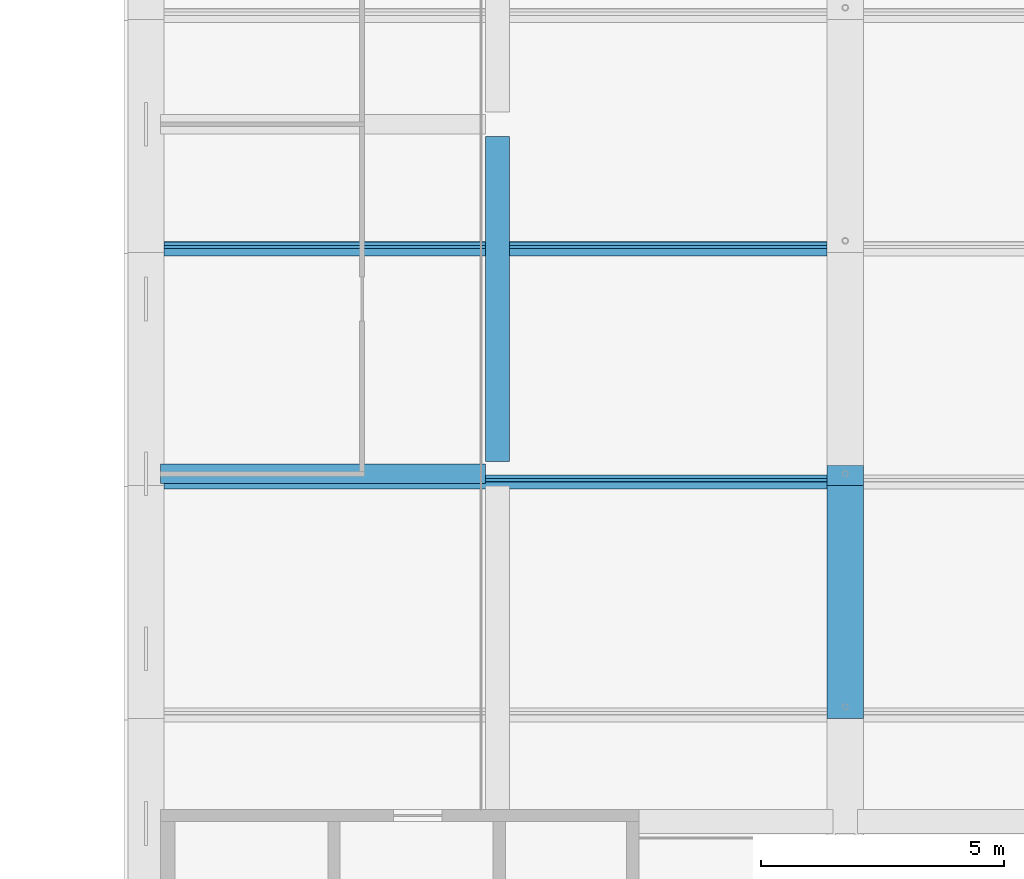
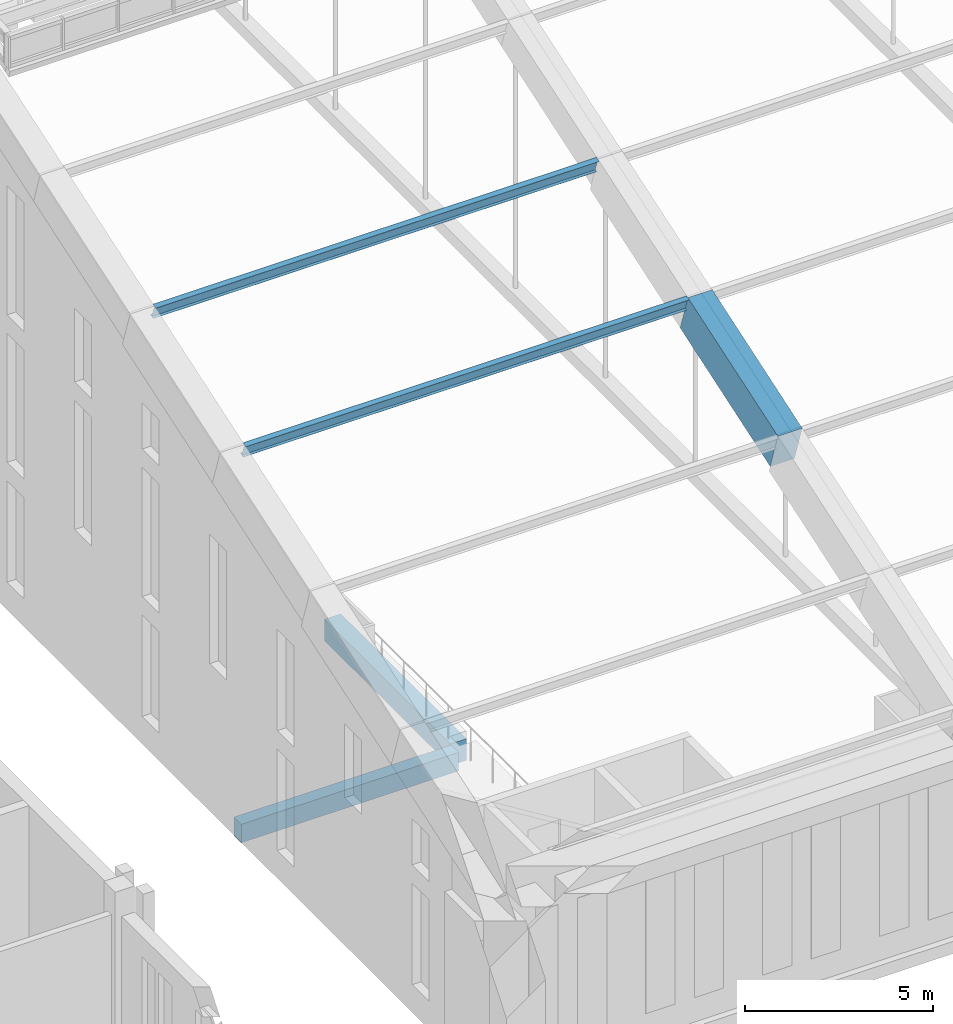
# One storey, part 7 of 149: 3 beams, 2 members.
"""IFC4 building model written with IfcOpenShell, lengths in metres."""

from ifc_helpers import new_model, si_unit, direction, frame, origin, origin_2d, place, context, subcontext, project, spatial, rectangle, i_section, extrude, material, material_profile, profile_set, type_object, element, save


model = new_model("IFC4")

# Units and contexts
model_context = context("Model", 3, precision=1e-05, world=origin(), true_north=direction((0.0, 1.0)))
body_context = subcontext(model_context, "Body", "Model", "MODEL_VIEW")
ifc_project = project(units=[si_unit("LENGTHUNIT", "METRE"), si_unit("AREAUNIT", "SQUARE_METRE"), si_unit("VOLUMEUNIT", "CUBIC_METRE"), si_unit("PLANEANGLEUNIT", "RADIAN"), si_unit("MASSUNIT", "GRAM", prefix="KILO")], contexts=[model_context])

# Site, building, storey
site_placement = place(None, origin())
site = spatial("IfcSite", under=ifc_project, at=site_placement, CompositionType="ELEMENT")
building_placement = place(site_placement, origin())
building = spatial("IfcBuilding", under=site, at=building_placement, Name="Alderwick Market Hall", CompositionType="ELEMENT")
storey_placement = place(building_placement, frame((0.0, 0.0, 9.60009765625)))
storey = spatial("IfcBuildingStorey", under=building, at=storey_placement, Name="L01", CompositionType="ELEMENT", Elevation=9.60009765625)

# Beams
ifc_material_1 = material(Name="Concrete 5000 psi (f'c 35 MPa)", Category="concrete")
ifc_material_profile_1 = material_profile(ifc_material_1, rectangle(XDim=0.5, YDim=0.699951171875, at=origin_2d()), Name="RC 500x700")
ifc_profile_set_1 = profile_set([ifc_material_profile_1], Name="Concrete 5000 psi (f'c 35 MPa)")
beam_type_1 = type_object("IfcBeamType", Name="H Edge beam 500x700", PredefinedType="BEAM", material=ifc_profile_set_1)
beam_1_placement = place(storey_placement, frame((57.639892578125, 65.050048828125, -0.60009765625), z_axis=(0.0, 1.0, 0.0), x_axis=(-1.0, 0.0, 0.0)))
element("IfcBeam", 1, at=beam_1_placement, inside=storey, type_object=beam_type_1, Name="Gallery edge beam W", PredefinedType="BEAM", context=body_context, shape_type="SweptSolid", body=[
    extrude(rectangle(XDim=0.5, YDim=0.699951171875, at=origin_2d()), origin(), (0.0, 0.0, 1.0), 6.699951171875),
])
ifc_material_profile_2 = material_profile(ifc_material_1, rectangle(XDim=0.39990234375, YDim=0.60009765625, at=origin_2d()), Name="RC 400x600")
ifc_profile_set_2 = profile_set([ifc_material_profile_2], Name="Concrete 5000 psi (f'c 35 MPa)")
beam_type_2 = type_object("IfcBeamType", Name="H Gallery beam 400x600", PredefinedType="BEAM", material=ifc_profile_set_2)
beam_2_placement = place(storey_placement, frame((50.699951171875, 64.800048828125, -0.550048828125), z_axis=(1.0, 0.0, 0.0), x_axis=(0.0, 1.0, 0.0)))
element("IfcBeam", 2, at=beam_2_placement, inside=storey, type_object=beam_type_2, Name="Gallery beam W", PredefinedType="BEAM", context=body_context, shape_type="SweptSolid", body=[
    extrude(rectangle(XDim=0.39990234375, YDim=0.60009765625, at=origin_2d()), origin(), (0.0, 0.0, 1.0), 6.68994140625),
])
ifc_material_profile_3 = material_profile(ifc_material_1, rectangle(XDim=0.75, YDim=1.300048828125, at=origin_2d()), Name="RC 750x1300")
ifc_profile_set_3 = profile_set([ifc_material_profile_3], Name="Concrete 5000 psi (f'c 35 MPa)")
beam_type_3 = type_object("IfcBeamType", Name="R Arch Rib Haunch 750x1300", PredefinedType="BEAM", material=ifc_profile_set_3)
beam_3_placement = place(storey_placement, frame((64.800048828125, 59.96826171875, 9.894775390625), z_axis=(0.0, 0.948678472761, 0.316242241517), x_axis=(-1.0, 0.0, 0.0)))
element("IfcBeam", 3, at=beam_3_placement, inside=storey, type_object=beam_type_3, Name="Arch rib 2 chord 3", PredefinedType="BEAM", context=body_context, shape_type="SweptSolid", body=[
    extrude(rectangle(XDim=0.75, YDim=1.300048828125, at=origin_2d()), origin(), (0.0, 0.0, 1.0), 5.059814453125),
])

# Members
ifc_material_2 = material(Name="Steel ASTM A992 Grade 50", Category="steel")
ifc_material_profile_4 = material_profile(ifc_material_2, i_section(OverallWidth=0.153076171875, OverallDepth=0.455078125, WebThickness=0.008056640625, FlangeThickness=0.01318359375, at=origin_2d()), Name="W18x40")
ifc_profile_set_4 = profile_set([ifc_material_profile_4], Name="Steel ASTM A992 Grade 50")
member_type = type_object("IfcMemberType", Name="R Purlin W18x40", PredefinedType="PURLIN", material=ifc_profile_set_4)
for number, where, z_axis, x_axis, name in (
    (4, (50.77490234375, 64.63671875, 11.889892578125), (1.0, 0.0, 0.0), (0.0, 0.948683297073, 0.316227768949), "Roof purlin 4.1"),
    (5, (50.77490234375, 69.436767578125, 13.489990234375), (1.0, 0.0, 0.0), (0.0, 0.948683297073, 0.316227768949), "Roof purlin 5.1"),
):
    element("IfcMember", number, at=place(storey_placement, frame(where, z_axis=z_axis, x_axis=x_axis)), inside=storey, type_object=member_type, Name=name, PredefinedType="PURLIN", context=body_context, shape_type="SweptSolid", body=[
        extrude(i_section(OverallWidth=0.153076171875, OverallDepth=0.455078125, WebThickness=0.008056640625, FlangeThickness=0.01318359375, at=origin_2d()), origin(), (0.0, 0.0, 1.0), 13.650146484375),
    ])

save(model, "model.ifc")
